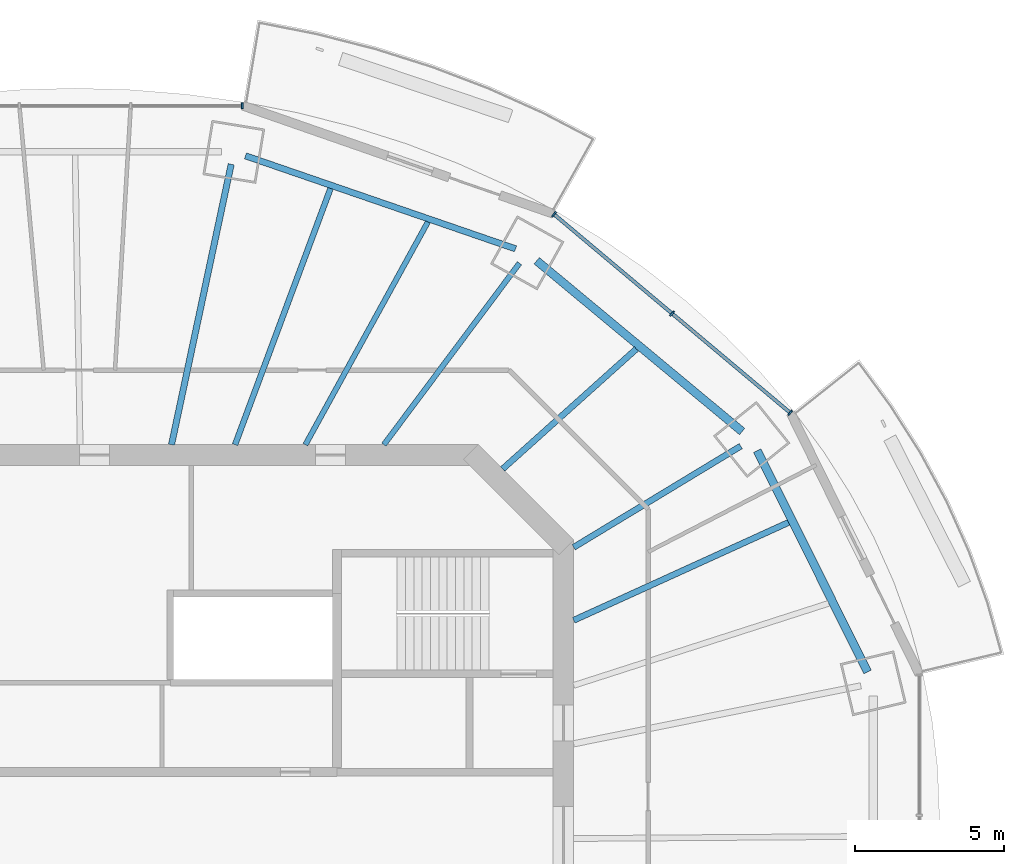
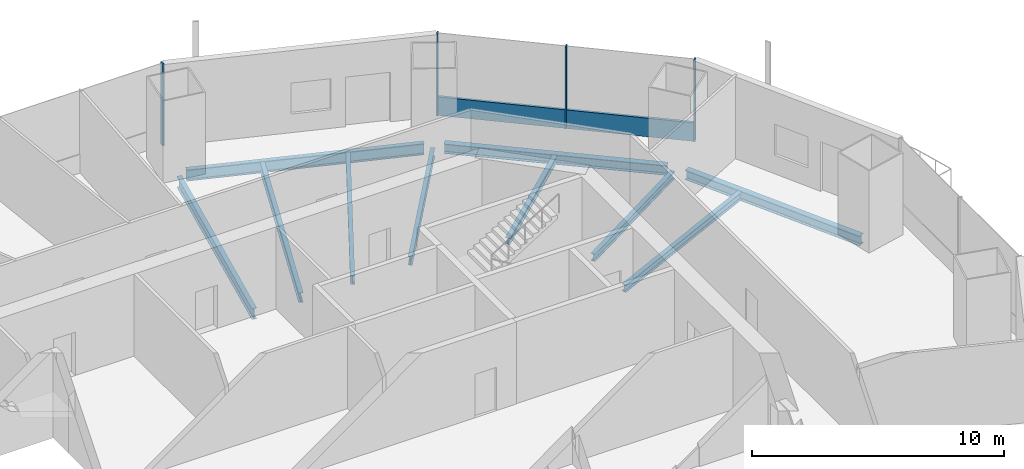
# One storey, part 6 of 16: 10 beams, 5 members, 2 elements without a shape of their own.
"""IFC4 building model written with IfcOpenShell, lengths in metres."""

from ifc_helpers import new_model, si_unit, direction, frame, origin, origin_2d, place, context, subcontext, project, spatial, rectangle, i_section, extrude, material, material_profile, profile_set, type_object, element, aggregate, save


model = new_model("IFC4")

# Units and contexts
model_context = context("Model", 3, precision=1e-05, world=origin(), true_north=direction((0.0, 1.0)))
body_context = subcontext(model_context, "Body", "Model", "MODEL_VIEW")
ifc_project = project(units=[si_unit("LENGTHUNIT", "METRE"), si_unit("AREAUNIT", "SQUARE_METRE"), si_unit("VOLUMEUNIT", "CUBIC_METRE"), si_unit("PLANEANGLEUNIT", "RADIAN"), si_unit("MASSUNIT", "GRAM", prefix="KILO")], contexts=[model_context])

# Site, building, storey
site_placement = place(None, origin())
site = spatial("IfcSite", under=ifc_project, at=site_placement, CompositionType="ELEMENT")
building_placement = place(site_placement, origin())
building = spatial("IfcBuilding", under=site, at=building_placement, Name="Marenthal Gate Tower", CompositionType="ELEMENT")
storey_placement = place(building_placement, frame((0.0, 0.0, 288.64990234375)))
storey = spatial("IfcBuildingStorey", under=building, at=storey_placement, Name="L64", CompositionType="ELEMENT", Elevation=288.64990234375)

# Curtain wall, members
ifc_material_1 = material(Name="Aluminium and glass", Category="aluminium")
curtain_wall_type = type_object("IfcCurtainWallType", Name="Curtain wall typical high", PredefinedType="NOTDEFINED", material=ifc_material_1)
curtain_wall_1_placement = place(storey_placement, origin())
curtain_wall_1 = element("IfcCurtainWall", 1, at=curtain_wall_1_placement, inside=storey, type_object=curtain_wall_type, Name="Curtain wall L64 bay 2", PredefinedType="NOTDEFINED")
ifc_material_2 = material(Name="Aluminium", Category="aluminium")
ifc_material_profile_1 = material_profile(ifc_material_2, rectangle(XDim=0.199951171875, YDim=0.06005859375, at=origin_2d()), Name="60x200 aluminium mullion")
ifc_profile_set_1 = profile_set([ifc_material_profile_1], Name="Aluminium")
member_type_1 = type_object("IfcMemberType", Name="Mullion 60x200 typical high", PredefinedType="MULLION", material=ifc_profile_set_1)
member_1_placement = place(storey_placement, frame((23.621337890625, 14.42138671875, 0.0), z_axis=(0.0, 0.0, 1.0), x_axis=(-0.643380191367, -0.76554681722, 0.0)))
member_1 = element("IfcMember", 2, at=member_1_placement, type_object=member_type_1, Name="Mullion L64 bay 2.1", PredefinedType="MULLION", context=body_context, shape_type="SweptSolid", body=[
    extrude(rectangle(XDim=0.199951171875, YDim=0.06005859375, at=origin_2d()), origin(), (0.0, 0.0, 1.0), 3.97021484375),
])
member_2_placement = place(storey_placement, frame((19.6552734375, 17.754638671875, 0.0), z_axis=(0.0, 0.0, 1.0), x_axis=(-0.643380191367, -0.76554681722, 0.0)))
member_2 = element("IfcMember", 3, at=member_2_placement, type_object=member_type_1, Name="Mullion L64 bay 2.2", PredefinedType="MULLION", context=body_context, shape_type="SweptSolid", body=[
    extrude(rectangle(XDim=0.199951171875, YDim=0.06005859375, at=origin_2d()), origin(), (0.0, 0.0, 1.0), 3.97021484375),
])
member_3_placement = place(storey_placement, frame((15.68896484375, 21.087890625, 0.0), z_axis=(0.0, 0.0, 1.0), x_axis=(-0.643380191367, -0.76554681722, 0.0)))
member_3 = element("IfcMember", 4, at=member_3_placement, type_object=member_type_1, Name="Mullion L64 bay 2.3", PredefinedType="MULLION", context=body_context, shape_type="SweptSolid", body=[
    extrude(rectangle(XDim=0.199951171875, YDim=0.06005859375, at=origin_2d()), origin(), (0.0, 0.0, 1.0), 3.97021484375),
])

# Curtain wall, member
curtain_wall_2_placement = place(storey_placement, origin())
curtain_wall_2 = element("IfcCurtainWall", 5, at=curtain_wall_2_placement, inside=storey, type_object=curtain_wall_type, Name="Curtain wall L64 bay 4", PredefinedType="NOTDEFINED")
member_4_placement = place(storey_placement, frame((5.211669921875, 24.736083984375, 0.0), z_axis=(0.0, 0.0, 1.0), x_axis=(0.0, -1.0, 0.0)))
member_4 = element("IfcMember", 6, at=member_4_placement, type_object=member_type_1, Name="Mullion L64 bay 4.1", PredefinedType="MULLION", context=body_context, shape_type="SweptSolid", body=[
    extrude(rectangle(XDim=0.199951171875, YDim=0.06005859375, at=origin_2d()), origin(), (0.0, 0.0, 1.0), 3.97021484375),
])
aggregate(curtain_wall_2, [member_4])

# Member
ifc_material_3 = material(Name="Aluminium", Category="aluminium")
ifc_material_profile_2 = material_profile(ifc_material_3, rectangle(XDim=0.1201171875, YDim=0.89990234375, at=origin_2d()), Name="120x900 aluminium transom")
ifc_profile_set_2 = profile_set([ifc_material_profile_2], Name="Aluminium")
member_type_2 = type_object("IfcMemberType", Name="Transom 120x900 typical high", PredefinedType="USERDEFINED", material=ifc_profile_set_2)
member_5_placement = place(storey_placement, frame((23.598388671875, 14.440673828125, 0.4501953125), z_axis=(-0.765547508353, 0.643379368999, 0.0), x_axis=(-0.643379368999, -0.765547508353, 0.0)))
member_5 = element("IfcMember", 7, at=member_5_placement, type_object=member_type_2, Name="Transom L64 bay 2", ObjectType="TRANSOM", PredefinedType="USERDEFINED", context=body_context, shape_type="SweptSolid", body=[
    extrude(rectangle(XDim=0.1201171875, YDim=0.89990234375, at=origin_2d()), origin(), (0.0, 0.0, 1.0), 10.3017578125),
])

aggregate(curtain_wall_1, [member_1, member_2, member_3, member_5])

# Beams
ifc_material_4 = material(Name="Steel S355", Category="steel")
ifc_material_profile_3 = material_profile(ifc_material_4, i_section(OverallWidth=0.205078125, OverallDepth=0.31005859375, WebThickness=0.009521484375, FlangeThickness=0.016357421875, FilletRadius=0.0126953125, at=origin_2d()), Name="W310X74")
ifc_profile_set_3 = profile_set([ifc_material_profile_3], Name="Steel S355")
beam_type_1 = type_object("IfcBeamType", Name="W310X74 beam", PredefinedType="BEAM", material=ifc_profile_set_3)
beam_1_placement = place(storey_placement, frame((18.45458984375, 16.564697265625, -0.3349609375), z_axis=(-0.744198463605, -0.667958566655, 0.0), x_axis=(0.667958566655, -0.744198463605, 0.0)))
element("IfcBeam", 8, at=beam_1_placement, inside=storey, type_object=beam_type_1, Name="BM-L64-19", PredefinedType="BEAM", context=body_context, shape_type="SweptSolid", body=[
    extrude(i_section(OverallWidth=0.205078125, OverallDepth=0.31005859375, WebThickness=0.009521484375, FlangeThickness=0.016357421875, FilletRadius=0.0126953125, at=origin_2d()), origin(), (0.0, 0.0, 1.0), 6.036376953125),
])
ifc_material_5 = material(Name="Steel S355", Category="steel")
ifc_material_profile_4 = material_profile(ifc_material_5, i_section(OverallWidth=0.205078125, OverallDepth=0.35302734375, WebThickness=0.009521484375, FlangeThickness=0.016845703125, FilletRadius=0.014892578125, at=origin_2d()), Name="W360X79")
ifc_profile_set_4 = profile_set([ifc_material_profile_4], Name="Steel S355")
beam_type_2 = type_object("IfcBeamType", Name="W360X79 beam", PredefinedType="BEAM", material=ifc_profile_set_4)
beam_2_placement = place(storey_placement, frame((21.960205078125, 13.2998046875, -0.3564453125), z_axis=(-0.855357284352, -0.518038527627, 0.0), x_axis=(0.518038527627, -0.855357284352, 0.0)))
element("IfcBeam", 9, at=beam_2_placement, inside=storey, type_object=beam_type_2, Name="BM-L64-02", PredefinedType="BEAM", context=body_context, shape_type="SweptSolid", body=[
    extrude(i_section(OverallWidth=0.205078125, OverallDepth=0.35302734375, WebThickness=0.009521484375, FlangeThickness=0.016845703125, FilletRadius=0.014892578125, at=origin_2d()), origin(), (0.0, 0.0, 1.0), 6.558837890625),
])
beam_3_placement = place(storey_placement, frame((23.564453125, 10.73583984375, -0.3564453125), z_axis=(-0.910016007484, -0.414573113122, 0.0), x_axis=(0.414573113122, -0.910016007484, 0.0)))
element("IfcBeam", 10, at=beam_3_placement, inside=storey, type_object=beam_type_2, Name="BM-L64-18", PredefinedType="BEAM", context=body_context, shape_type="SweptSolid", body=[
    extrude(i_section(OverallWidth=0.205078125, OverallDepth=0.35302734375, WebThickness=0.009521484375, FlangeThickness=0.016845703125, FilletRadius=0.014892578125, at=origin_2d()), origin(), (0.0, 0.0, 1.0), 7.927734375),
])
ifc_material_6 = material(Name="Steel S355", Category="steel")
ifc_material_profile_5 = material_profile(ifc_material_6, i_section(OverallWidth=0.180908203125, OverallDepth=0.4169921875, WebThickness=0.010986328125, FlangeThickness=0.018310546875, FilletRadius=0.01025390625, at=origin_2d()), Name="W410X85")
ifc_profile_set_5 = profile_set([ifc_material_profile_5], Name="Steel S355")
beam_type_3 = type_object("IfcBeamType", Name="W410X85 beam", PredefinedType="BEAM", material=ifc_profile_set_5)
beam_4_placement = place(storey_placement, frame((14.52880859375, 19.4462890625, -0.388427734375), z_axis=(-0.598530895053, -0.801099723921, 0.0), x_axis=(0.801099723921, -0.598530895053, 0.0)))
element("IfcBeam", 11, at=beam_4_placement, inside=storey, type_object=beam_type_3, Name="BM-L64-03", PredefinedType="BEAM", context=body_context, shape_type="SweptSolid", body=[
    extrude(i_section(OverallWidth=0.180908203125, OverallDepth=0.4169921875, WebThickness=0.010986328125, FlangeThickness=0.018310546875, FilletRadius=0.01025390625, at=origin_2d()), origin(), (0.0, 0.0, 1.0), 7.60986328125),
])
beam_5_placement = place(storey_placement, frame((11.451416015625, 20.830078125, -0.388427734375), z_axis=(-0.481767224864, -0.876299230313, 0.0), x_axis=(0.876299230313, -0.481767224864, 0.0)))
element("IfcBeam", 12, at=beam_5_placement, inside=storey, type_object=beam_type_3, Name="BM-L64-20", PredefinedType="BEAM", context=body_context, shape_type="SweptSolid", body=[
    extrude(i_section(OverallWidth=0.180908203125, OverallDepth=0.4169921875, WebThickness=0.010986328125, FlangeThickness=0.018310546875, FilletRadius=0.01025390625, at=origin_2d()), origin(), (0.0, 0.0, 1.0), 8.535888671875),
])
ifc_material_7 = material(Name="Steel S355", Category="steel")
ifc_material_profile_6 = material_profile(ifc_material_7, i_section(OverallWidth=0.279052734375, OverallDepth=0.4619140625, WebThickness=0.0107421875, FlangeThickness=0.017333984375, FilletRadius=0.010009765625, at=origin_2d()), Name="W460X113")
ifc_profile_set_6 = profile_set([ifc_material_profile_6], Name="Steel S355")
beam_type_4 = type_object("IfcBeamType", Name="W460X113 beam", PredefinedType="BEAM", material=ifc_profile_set_6)
beam_6_placement = place(storey_placement, frame((26.2236328125, 5.71240234375, -0.410888671875), z_axis=(-0.446025836929, 0.895020085133, 0.0), x_axis=(-0.895020085133, -0.446025836929, 0.0)))
element("IfcBeam", 13, at=beam_6_placement, inside=storey, type_object=beam_type_4, Name="BM-L64-41", PredefinedType="BEAM", context=body_context, shape_type="SweptSolid", body=[
    extrude(i_section(OverallWidth=0.279052734375, OverallDepth=0.4619140625, WebThickness=0.0107421875, FlangeThickness=0.017333984375, FilletRadius=0.010009765625, at=origin_2d()), origin(), (0.0, 0.0, 1.0), 8.306884765625),
])
beam_7_placement = place(storey_placement, frame((22.009033203125, 13.79150390625, -0.410888671875), z_axis=(-0.769034611426, 0.639207138906, 0.0), x_axis=(-0.639207138906, -0.769034611426, 0.0)))
element("IfcBeam", 14, at=beam_7_placement, inside=storey, type_object=beam_type_4, Name="BM-L64-42", PredefinedType="BEAM", context=body_context, shape_type="SweptSolid", body=[
    extrude(i_section(OverallWidth=0.279052734375, OverallDepth=0.4619140625, WebThickness=0.0107421875, FlangeThickness=0.017333984375, FilletRadius=0.010009765625, at=origin_2d()), origin(), (0.0, 0.0, 1.0), 8.9736328125),
])
ifc_material_8 = material(Name="Steel S355", Category="steel")
ifc_material_profile_7 = material_profile(ifc_material_8, i_section(OverallWidth=0.193115234375, OverallDepth=0.467041015625, WebThickness=0.011474609375, FlangeThickness=0.01904296875, FilletRadius=0.010009765625, at=origin_2d()), Name="W460X97")
ifc_profile_set_7 = profile_set([ifc_material_profile_7], Name="Steel S355")
beam_type_5 = type_object("IfcBeamType", Name="W460X97 beam", PredefinedType="BEAM", material=ifc_profile_set_7)
beam_8_placement = place(storey_placement, frame((8.181396484375, 21.9560546875, -0.413330078125), z_axis=(-0.349170813631, -0.937059092538, 0.0), x_axis=(0.937059092538, -0.349170813631, 0.0)))
element("IfcBeam", 15, at=beam_8_placement, inside=storey, type_object=beam_type_5, Name="BM-L64-21", PredefinedType="BEAM", context=body_context, shape_type="SweptSolid", body=[
    extrude(i_section(OverallWidth=0.193115234375, OverallDepth=0.467041015625, WebThickness=0.011474609375, FlangeThickness=0.01904296875, FilletRadius=0.010009765625, at=origin_2d()), origin(), (0.0, 0.0, 1.0), 9.18408203125),
])
ifc_material_9 = material(Name="Steel S355", Category="steel")
ifc_material_profile_8 = material_profile(ifc_material_9, i_section(OverallWidth=0.2099609375, OverallDepth=0.535888671875, WebThickness=0.010986328125, FlangeThickness=0.017333984375, FilletRadius=0.0126953125, at=origin_2d()), Name="W530X101")
ifc_profile_set_8 = profile_set([ifc_material_profile_8], Name="Steel S355")
beam_type_6 = type_object("IfcBeamType", Name="W530X101 beam", PredefinedType="BEAM", material=ifc_profile_set_8)
beam_9_placement = place(storey_placement, frame((4.8447265625, 22.769775390625, -0.447998046875), z_axis=(-0.208104032343, -0.978106697514, 0.0), x_axis=(0.978106697514, -0.208104032343, 0.0)))
element("IfcBeam", 16, at=beam_9_placement, inside=storey, type_object=beam_type_6, Name="BM-L64-04", PredefinedType="BEAM", context=body_context, shape_type="SweptSolid", body=[
    extrude(i_section(OverallWidth=0.2099609375, OverallDepth=0.535888671875, WebThickness=0.010986328125, FlangeThickness=0.017333984375, FilletRadius=0.0126953125, at=origin_2d()), origin(), (0.0, 0.0, 1.0), 9.630615234375),
])
ifc_material_10 = material(Name="Steel S355", Category="steel")
ifc_material_profile_9 = material_profile(ifc_material_10, i_section(OverallWidth=0.2119140625, OverallDepth=0.5439453125, WebThickness=0.01318359375, FlangeThickness=0.021240234375, FilletRadius=0.0126953125, at=origin_2d()), Name="W530X123")
ifc_profile_set_9 = profile_set([ifc_material_profile_9], Name="Steel S355")
beam_type_7 = type_object("IfcBeamType", Name="W530X123 beam", PredefinedType="BEAM", material=ifc_profile_set_9)
beam_10_placement = place(storey_placement, frame((14.396728515625, 19.92822265625, -0.451904296875), z_axis=(-0.945528342473, 0.325539788013, 0.0), x_axis=(-0.325539788013, -0.945528342473, 0.0)))
element("IfcBeam", 17, at=beam_10_placement, inside=storey, type_object=beam_type_7, Name="BM-L64-43", PredefinedType="BEAM", context=body_context, shape_type="SweptSolid", body=[
    extrude(i_section(OverallWidth=0.2119140625, OverallDepth=0.5439453125, WebThickness=0.01318359375, FlangeThickness=0.021240234375, FilletRadius=0.0126953125, at=origin_2d()), origin(), (0.0, 0.0, 1.0), 9.595703125),
])

save(model, "model.ifc")
